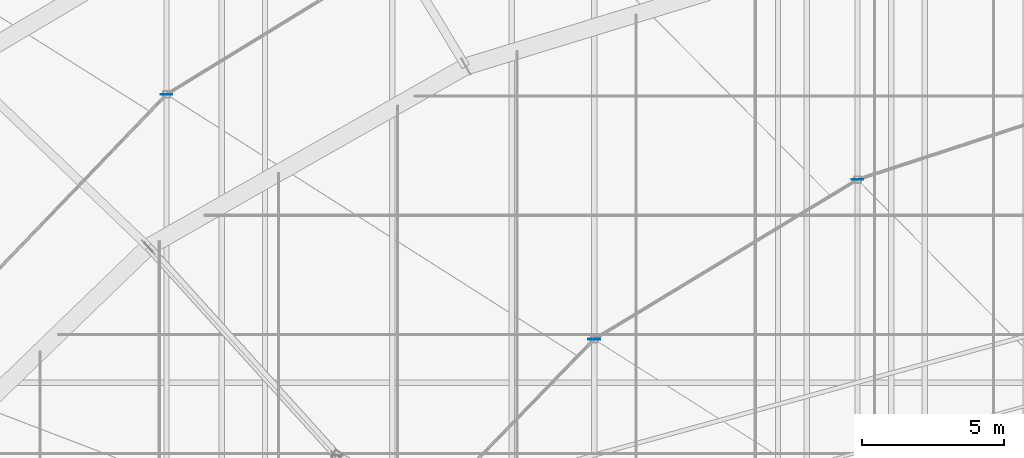
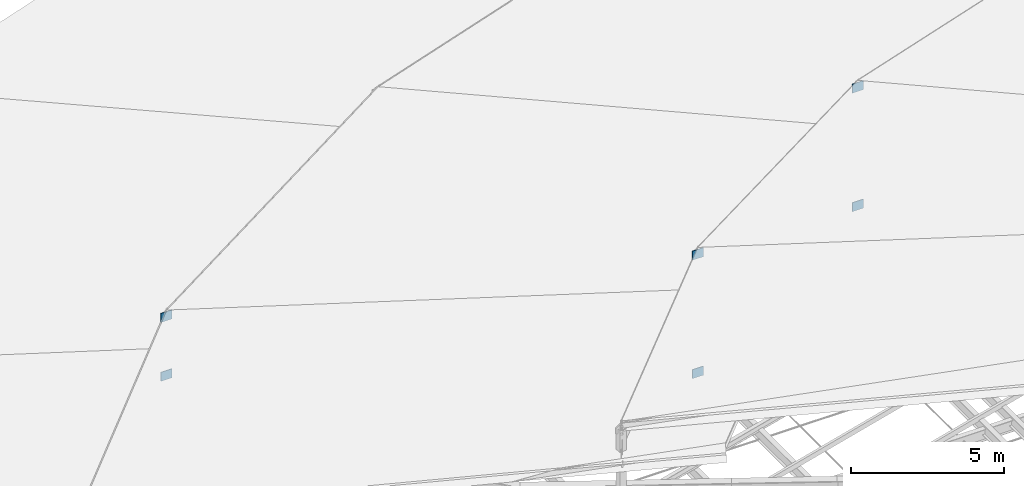
# One storey, part 172 of 184: 6 plates.
"""IFC4 building model written with IfcOpenShell, lengths in metres."""

from ifc_helpers import new_model, si_unit, direction, frame, origin, origin_2d, place, context, subcontext, project, spatial, rectangle, extrude, material, layer, layer_set, type_object, element, save


model = new_model("IFC4")

# Units and contexts
model_context = context("Model", 3, precision=1e-05, world=origin(), true_north=direction((0.0, 1.0)))
body_context = subcontext(model_context, "Body", "Model", "MODEL_VIEW")
ifc_project = project(units=[si_unit("LENGTHUNIT", "METRE"), si_unit("AREAUNIT", "SQUARE_METRE"), si_unit("VOLUMEUNIT", "CUBIC_METRE"), si_unit("PLANEANGLEUNIT", "RADIAN"), si_unit("MASSUNIT", "GRAM", prefix="KILO")], contexts=[model_context])

# Site, building, storey
site_placement = place(None, origin())
site = spatial("IfcSite", under=ifc_project, at=site_placement, CompositionType="ELEMENT")
building_placement = place(site_placement, origin())
building = spatial("IfcBuilding", under=site, at=building_placement, Name="Kalgoora Escarpment Arena", CompositionType="ELEMENT")
storey_placement = place(building_placement, frame((0.0, 0.0, 27.60009765625)))
storey = spatial("IfcBuildingStorey", under=building, at=storey_placement, Name="Roof Level", CompositionType="ELEMENT", Elevation=27.60009765625)

# Plates
ifc_material = material(Name="Structural steel Grade 350 (350 MPa)", Category="steel")
ifc_layer = layer(ifc_material, 0.02490234375)
ifc_layer_set = layer_set([ifc_layer], Name="PLT-GUSSET-25")
plate_type = type_object("IfcPlateType", Name="PLT-GUSSET-25", PredefinedType="USERDEFINED", material=ifc_layer_set)
for number, where, z_axis, x_axis, name in (
    (1, (54.8564453125, 97.658203125, -1.26025390625), (0.0, 0.0, 1.0), (1.0, 0.0, 0.0), "Brace and post end gusset plate 197"),
    (2, (54.8564453125, 97.658203125, 1.0849609375), (0.0, 0.0, 1.0), (1.0, 0.0, 0.0), "Brace and post end gusset plate 198"),
    (3, (79.199951171875, 94.6572265625, -1.2001953125), (0.0, 0.0, 1.0), (1.0, 0.0, 0.0), "Brace and post end gusset plate 242"),
    (4, (79.199951171875, 94.6572265625, 3.52490234375), (0.0, 0.0, 1.0), (1.0, 0.0, 0.0), "Brace and post end gusset plate 243"),
    (5, (69.921630859375, 89.031494140625, -1.2001953125), (0.0, 0.0, 1.0), (1.0, 0.0, 0.0), "Brace and post end gusset plate 244"),
    (6, (69.921630859375, 89.031494140625, 3.52490234375), (0.0, 0.0, 1.0), (1.0, 0.0, 0.0), "Brace and post end gusset plate 245"),
):
    element("IfcPlate", number, at=place(storey_placement, frame(where, z_axis=z_axis, x_axis=x_axis)), inside=storey, type_object=plate_type, Name=name, ObjectType="FLANGE PLATE", PredefinedType="USERDEFINED", context=body_context, shape_type="SweptSolid", body=[
        extrude(rectangle(XDim=0.419921875, YDim=0.02490234375, at=origin_2d()), origin(), (0.0, 0.0, 1.0), 0.360107421875),
    ])

save(model, "model.ifc")
